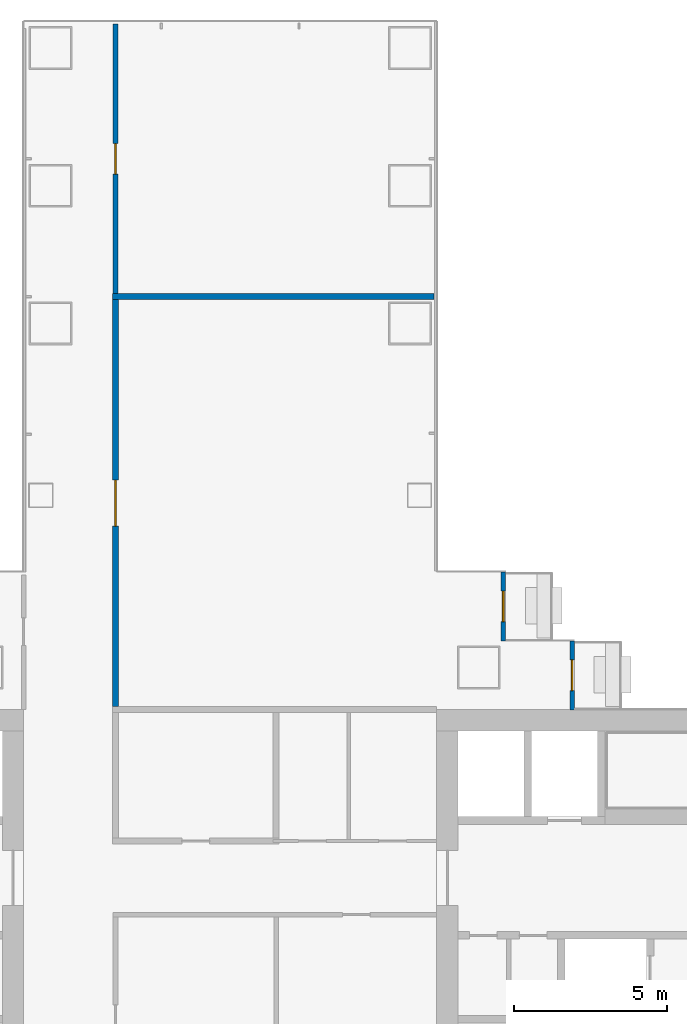
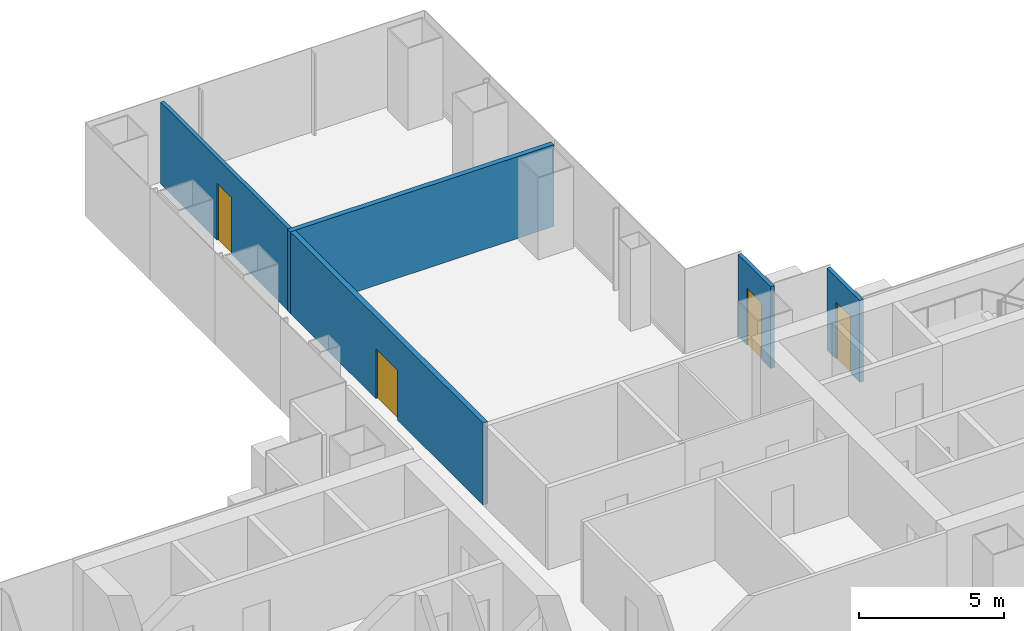
# One storey, part 18 of 22: 5 walls, 4 doors, 4 openings.
"""IFC4 building model written with IfcOpenShell, lengths in metres."""

from ifc_helpers import new_model, si_unit, direction, frame, frame_2d, origin, place, context, subcontext, project, spatial, rectangle, extrude, material, layer, layer_set, type_object, element, fill, save


model = new_model("IFC4")

# Units and contexts
model_context = context("Model", 3, precision=1e-05, world=origin(), true_north=direction((0.0, 1.0)))
body_context = subcontext(model_context, "Body", "Model", "MODEL_VIEW")
ifc_project = project(units=[si_unit("LENGTHUNIT", "METRE"), si_unit("AREAUNIT", "SQUARE_METRE"), si_unit("VOLUMEUNIT", "CUBIC_METRE"), si_unit("PLANEANGLEUNIT", "RADIAN"), si_unit("MASSUNIT", "GRAM", prefix="KILO")], contexts=[model_context])

# Site, building, storey
site_placement = place(None, origin())
site = spatial("IfcSite", under=ifc_project, at=site_placement, CompositionType="ELEMENT")
building_placement = place(site_placement, origin())
building = spatial("IfcBuilding", under=site, at=building_placement, Name="Shamsa Quay Exchange Towers", CompositionType="ELEMENT")
storey_placement = place(building_placement, frame((0.0, 0.0, 73.199951171875)))
storey = spatial("IfcBuildingStorey", under=building, at=storey_placement, Name="L16", CompositionType="ELEMENT", Elevation=73.199951171875)

# Wall, opening, door
ifc_material_1 = material(Name="Aluminium EN AW-6063 T6, black anodised, with black enamelled glass infill", Category="aluminium")
ifc_layer_1 = layer(ifc_material_1, 0.14990234375)
ifc_layer_set_1 = layer_set([ifc_layer_1], Name="BALCONY DOOR BAY WALL 150")
wall_type_1 = type_object("IfcWallType", Name="BALCONY DOOR BAY WALL 150", PredefinedType="SOLIDWALL", material=ifc_layer_set_1)
wall_1_placement = place(storey_placement, frame((42.675048828125, 11.25, 0.0), z_axis=(0.0, 0.0, 1.0), x_axis=(0.0, -1.0, 0.0)))
wall_1 = element("IfcWall", 1, at=wall_1_placement, inside=storey, type_object=wall_type_1, Name="Door bay T2-PKES L16", PredefinedType="SOLIDWALL", context=body_context, shape_type="SweptSolid", body=[
    extrude(rectangle(XDim=2.25, YDim=0.14990234375, at=frame_2d((1.125, 0.0))), origin(), (0.0, 0.0, 1.0), 3.449951171875),
])
opening_1_placement = place(wall_1_placement, frame((0.625, 0.0, 0.0)))
opening_1 = element("IfcOpeningElement", 2, at=opening_1_placement, cuts=wall_1, Name="Opening XD099", PredefinedType="OPENING", context=body_context, shape_type="SweptSolid", body=[
    extrude(rectangle(XDim=1.0, YDim=2.39990234375, at=frame_2d((0.5, 1.199951171875))), frame((0.0, 0.0849609375, 0.0), z_axis=(0.0, -1.0, 0.0), x_axis=(1.0, 0.0, 0.0)), (0.0, 0.0, 1.0), 0.169921875),
])
ifc_material_2 = material(Name="Aluminium EN AW-6063 T6, black anodised, with laminated glass leaf", Category="aluminium")
door_type_1 = type_object("IfcDoorType", Name="BALCONY DOOR 1000x2400", OperationType="SINGLE_SWING_LEFT", PredefinedType="DOOR", material=ifc_material_2)
door_1_placement = place(opening_1_placement, origin())
door_1 = element("IfcDoor", 3, at=door_1_placement, inside=storey, type_object=door_type_1, Name="Balcony door T2-PKES L16", OperationType="SINGLE_SWING_RIGHT", OverallHeight=2.39990234375, OverallWidth=1.0, PredefinedType="DOOR", context=body_context, shape_type="SweptSolid", body=[
    extrude(rectangle(XDim=1.0, YDim=2.39990234375, at=frame_2d((0.5, 1.199951171875))), frame((0.0, 0.02490234375, 0.0), z_axis=(0.0, -1.0, 0.0), x_axis=(1.0, 0.0, 0.0)), (0.0, 0.0, 1.0), 0.050048828125),
])
fill(opening_1, door_1)

wall_2_placement = place(storey_placement, frame((44.925048828125, 9.0, 0.0), z_axis=(0.0, 0.0, 1.0), x_axis=(0.0, -1.0, 0.0)))
wall_2 = element("IfcWall", 4, at=wall_2_placement, inside=storey, type_object=wall_type_1, Name="Door bay T2-PKES L16", PredefinedType="SOLIDWALL", context=body_context, shape_type="SweptSolid", body=[
    extrude(rectangle(XDim=2.257080078125, YDim=0.14990234375, at=frame_2d((1.12841796875, 0.0))), origin(), (0.0, 0.0, 1.0), 3.449951171875),
])
opening_2_placement = place(wall_2_placement, frame((0.625, 0.0, 0.0)))
opening_2 = element("IfcOpeningElement", 5, at=opening_2_placement, cuts=wall_2, Name="Opening XD100", PredefinedType="OPENING", context=body_context, shape_type="SweptSolid", body=[
    extrude(rectangle(XDim=1.0, YDim=2.39990234375, at=frame_2d((0.5, 1.199951171875))), frame((0.0, 0.0849609375, 0.0), z_axis=(0.0, -1.0, 0.0), x_axis=(1.0, 0.0, 0.0)), (0.0, 0.0, 1.0), 0.169921875),
])
door_2_placement = place(opening_2_placement, origin())
door_2 = element("IfcDoor", 6, at=door_2_placement, inside=storey, type_object=door_type_1, Name="Balcony door T2-PKES L16", OperationType="SINGLE_SWING_LEFT", OverallHeight=2.39990234375, OverallWidth=1.0, PredefinedType="DOOR", context=body_context, shape_type="SweptSolid", body=[
    extrude(rectangle(XDim=1.0, YDim=2.39990234375, at=frame_2d((0.5, 1.199951171875))), frame((0.0, 0.02490234375, 0.0), z_axis=(0.0, -1.0, 0.0), x_axis=(1.0, 0.0, 0.0)), (0.0, 0.0, 1.0), 0.050048828125),
])
fill(opening_2, door_2)

ifc_material_3 = material(Name="Gypsum board partition on metal studs")
ifc_layer_2 = layer(ifc_material_3, 0.14990234375)
ifc_layer_set_2 = layer_set([ifc_layer_2], Name="Partition 150 mm EI 60")
wall_type_2 = type_object("IfcWallType", Name="Partition 150 mm EI 60", PredefinedType="PARTITIONING", material=ifc_layer_set_2)
wall_3_placement = place(storey_placement, frame((30.0, 29.155029296875, 0.0), z_axis=(0.0, 0.0, 1.0), x_axis=(0.0, -1.0, 0.0)))
wall_3 = element("IfcWall", 7, at=wall_3_placement, inside=storey, type_object=wall_type_2, Name="Partition T2-R07-W05", PredefinedType="PARTITIONING", context=body_context, shape_type="SweptSolid", body=[
    extrude(rectangle(XDim=8.804931640625, YDim=0.14990234375, at=frame_2d((4.40234375, 0.0))), origin(), (0.0, 0.0, 1.0), 3.449951171875),
])
opening_3_placement = place(wall_3_placement, frame((3.905029296875, 0.0, 0.0)))
opening_3 = element("IfcOpeningElement", 8, at=opening_3_placement, cuts=wall_3, Name="Opening T2-R07-D10", PredefinedType="OPENING", context=body_context, shape_type="SweptSolid", body=[
    extrude(rectangle(XDim=1.0, YDim=2.39990234375, at=frame_2d((0.5, 1.199951171875))), frame((0.0, 0.0849609375, 0.0), z_axis=(0.0, -1.0, 0.0), x_axis=(1.0, 0.0, 0.0)), (0.0, 0.0, 1.0), 0.169921875),
])
ifc_material_4 = material(Name="Timber door leaf in a metal frame", Category="wood")
door_type_2 = type_object("IfcDoorType", Name="Door 1000x2400 FD30S", OperationType="NOTDEFINED", PredefinedType="DOOR", material=ifc_material_4)
door_3_placement = place(opening_3_placement, origin())
door_3 = element("IfcDoor", 9, at=door_3_placement, inside=storey, type_object=door_type_2, Name="Door T2-R07-D10", OperationType="SINGLE_SWING_LEFT", OverallHeight=2.39990234375, OverallWidth=1.0, PredefinedType="DOOR", context=body_context, shape_type="SweptSolid", body=[
    extrude(rectangle(XDim=1.0, YDim=2.39990234375, at=frame_2d((0.5, 1.199951171875))), frame((0.0, 0.02490234375, 0.0), z_axis=(0.0, -1.0, 0.0), x_axis=(1.0, 0.0, 0.0)), (0.0, 0.0, 1.0), 0.050048828125),
])
fill(opening_3, door_3)

ifc_layer_3 = layer(ifc_material_3, 0.199951171875)
ifc_layer_set_3 = layer_set([ifc_layer_3], Name="Partition 200 mm EI 90")
wall_type_3 = type_object("IfcWallType", Name="Partition 200 mm EI 90", PredefinedType="PARTITIONING", material=ifc_layer_set_3)
wall_4_placement = place(storey_placement, frame((30.0, 20.14990234375, 0.0), z_axis=(0.0, 0.0, 1.0), x_axis=(0.0, -1.0, 0.0)))
wall_4 = element("IfcWall", 10, at=wall_4_placement, inside=storey, type_object=wall_type_3, Name="Partition T2-R07-W02", PredefinedType="PARTITIONING", context=body_context, shape_type="SweptSolid", body=[
    extrude(rectangle(XDim=13.2998046875, YDim=0.199951171875, at=frame_2d((6.64990234375, 0.0))), origin(), (0.0, 0.0, 1.0), 3.449951171875),
])
opening_4_placement = place(wall_4_placement, frame((5.89990234375, 0.0, 0.0)))
opening_4 = element("IfcOpeningElement", 11, at=opening_4_placement, cuts=wall_4, Name="Opening T2-R07-D09", PredefinedType="OPENING", context=body_context, shape_type="SweptSolid", body=[
    extrude(rectangle(XDim=1.5, YDim=2.10009765625, at=frame_2d((0.75, 1.050048828125))), frame((0.0, 0.10986328125, 0.0), z_axis=(0.0, -1.0, 0.0), x_axis=(1.0, 0.0, 0.0)), (0.0, 0.0, 1.0), 0.219970703125),
])
door_type_3 = type_object("IfcDoorType", Name="Door 1500x2100 FD30S pair", OperationType="NOTDEFINED", PredefinedType="DOOR", material=ifc_material_4)
door_4_placement = place(opening_4_placement, origin())
door_4 = element("IfcDoor", 12, at=door_4_placement, inside=storey, type_object=door_type_3, Name="Door T2-R07-D09", OperationType="DOUBLE_DOOR_SINGLE_SWING", OverallHeight=2.10009765625, OverallWidth=1.5, PredefinedType="DOOR", context=body_context, shape_type="SweptSolid", body=[
    extrude(rectangle(XDim=1.5, YDim=2.10009765625, at=frame_2d((0.75, 1.050048828125))), frame((0.0, 0.02490234375, 0.0), z_axis=(0.0, -1.0, 0.0), x_axis=(1.0, 0.0, 0.0)), (0.0, 0.0, 1.0), 0.050048828125),
])
fill(opening_4, door_4)

# Wall
wall_5_placement = place(storey_placement, frame((40.405029296875, 20.25, 0.0), z_axis=(0.0, 0.0, 1.0), x_axis=(-1.0, 0.0, 0.0)))
element("IfcWall", 13, at=wall_5_placement, inside=storey, type_object=wall_type_3, Name="Partition T2-R07-W13", PredefinedType="PARTITIONING", context=body_context, shape_type="SweptSolid", body=[
    extrude(rectangle(XDim=10.505126953125, YDim=0.199951171875, at=frame_2d((5.25244140625, 0.0))), origin(), (0.0, 0.0, 1.0), 3.449951171875),
])

save(model, "model.ifc")
